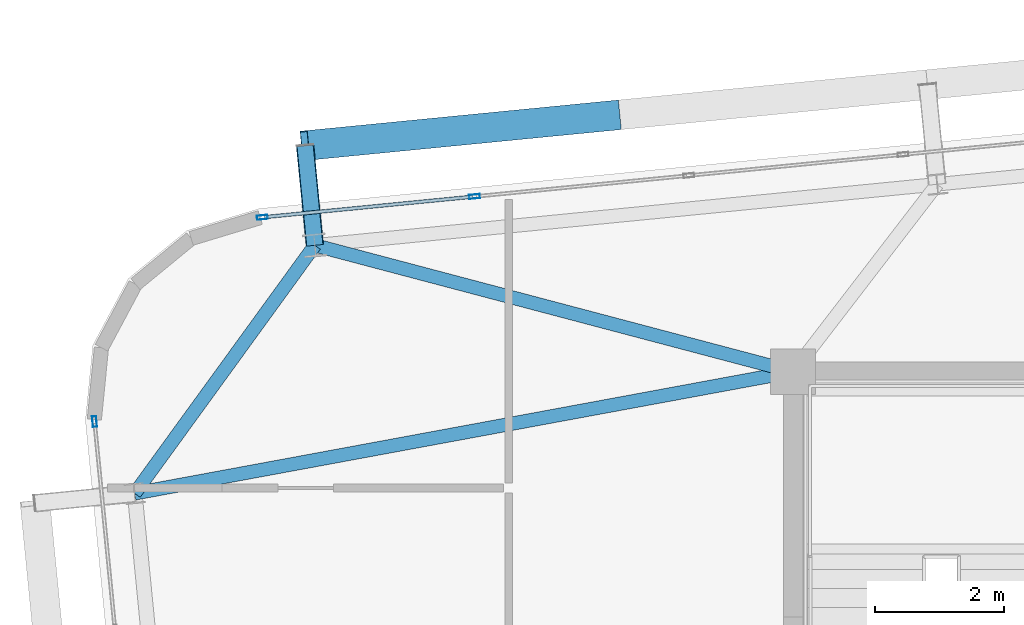
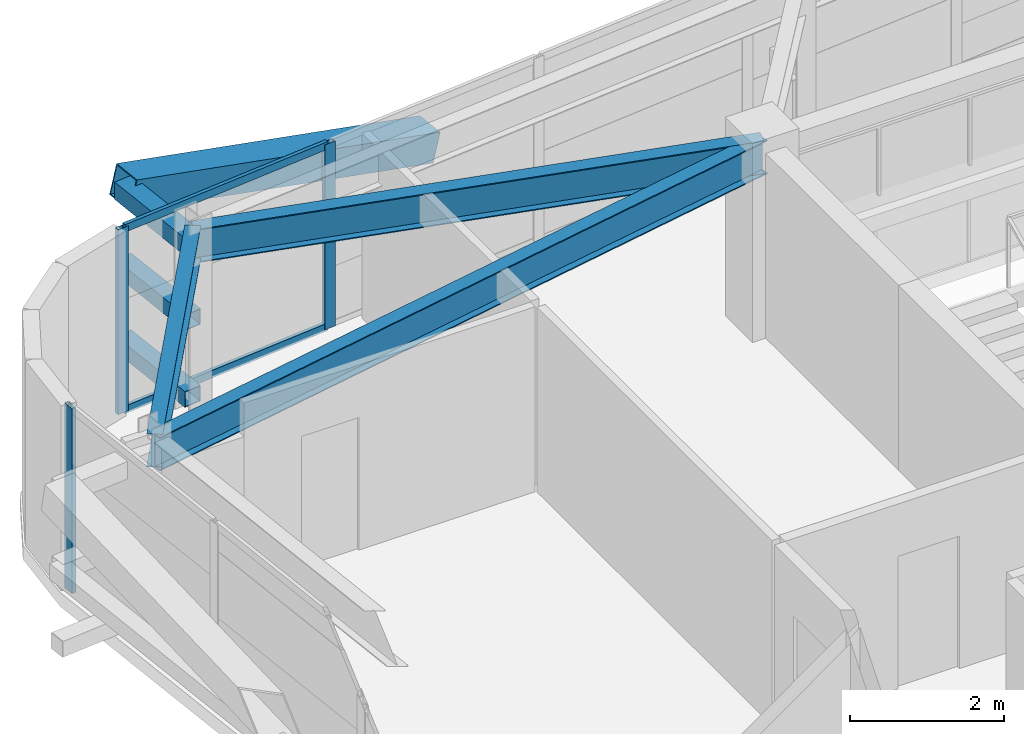
# One storey, part 27 of 52: 9 members, 3 beams, 2 elements without a shape of their own.
"""IFC4 building model written with IfcOpenShell, lengths in metres."""

from ifc_helpers import new_model, si_unit, direction, frame, origin, origin_2d, place, context, subcontext, project, spatial, hollow_rectangle, i_section, extrude, source, transform, mapped, material, layer, layer_set, material_profile, profile_set, type_object, element, aggregate, save


model = new_model("IFC4")

# Units and contexts
model_context = context("Model", 3, precision=1e-05, world=origin(), true_north=direction((0.0, 1.0)))
body_context = subcontext(model_context, "Body", "Model", "MODEL_VIEW")
ifc_project = project(units=[si_unit("LENGTHUNIT", "METRE"), si_unit("AREAUNIT", "SQUARE_METRE"), si_unit("VOLUMEUNIT", "CUBIC_METRE"), si_unit("PLANEANGLEUNIT", "RADIAN"), si_unit("MASSUNIT", "GRAM", prefix="KILO")], contexts=[model_context])

# Site, building, storey
site_placement = place(None, origin())
site = spatial("IfcSite", under=ifc_project, at=site_placement, CompositionType="ELEMENT")
building_placement = place(site_placement, origin())
building = spatial("IfcBuilding", under=site, at=building_placement, Name="Taldren Reach Tower", CompositionType="ELEMENT")
storey_placement = place(building_placement, frame((0.0, 0.0, 77.699951171875)))
storey = spatial("IfcBuildingStorey", under=building, at=storey_placement, Name="L23", CompositionType="ELEMENT", Elevation=77.699951171875)

# Beams
ifc_material_1 = material(Name="Steel Gr 350 (350PLUS)", Category="steel")
ifc_material_profile_1 = material_profile(ifc_material_1, i_section(OverallWidth=0.208984375, OverallDepth=0.528076171875, WebThickness=0.009521484375, FlangeThickness=0.01318359375, at=origin_2d()), Name="530UB82.0")
ifc_profile_set_1 = profile_set([ifc_material_profile_1], Name="Steel Gr 350 (350PLUS)")
beam_type_1 = type_object("IfcBeamType", Name="SP-UB530B", PredefinedType="SPANDREL", material=ifc_profile_set_1)
shared_shape_1 = source(origin(), body_context, "Body", "SweptSolid", [
    extrude(i_section(OverallWidth=0.208984375, OverallDepth=0.528076171875, WebThickness=0.009521484375, FlangeThickness=0.01318359375, at=origin_2d()), origin(), (0.0, 0.0, 1.0), 4.74609375),
])
beam_1_placement = place(storey_placement, frame((11.596923828125, 33.956787109375, 2.666015625), z_axis=(-0.587565912237, -0.809176308833, 0.0), x_axis=(0.809176308833, -0.587565912237, 0.0)))
element("IfcBeam", 1, at=beam_1_placement, inside=storey, type_object=beam_type_1, Name="Perimeter spandrel B2 N1-W3 L23", PredefinedType="SPANDREL", context=body_context, shape_type="MappedRepresentation", body=[
    mapped(shared_shape_1, transform((0.0, 0.0, 0.0), scale=1.0)),
])
ifc_material_profile_2 = material_profile(ifc_material_1, i_section(OverallWidth=0.208984375, OverallDepth=0.532958984375, WebThickness=0.01025390625, FlangeThickness=0.015625, at=origin_2d()), Name="530UB92.4")
ifc_profile_set_2 = profile_set([ifc_material_profile_2], Name="Steel Gr 350 (350PLUS)")
beam_type_2 = type_object("IfcBeamType", Name="BM-UB530A", PredefinedType="BEAM", material=ifc_profile_set_2)
shared_shape_2 = source(origin(), body_context, "Body", "SweptSolid", [
    extrude(i_section(OverallWidth=0.208984375, OverallDepth=0.532958984375, WebThickness=0.01025390625, FlangeThickness=0.015625, at=origin_2d()), origin(), (0.0, 0.0, 1.0), 7.6572265625),
])
beam_2_placement = place(storey_placement, frame((19.0, 32.0, 2.66357421875), z_axis=(-0.966797258245, 0.255544636904, 0.0), x_axis=(-0.255544636904, -0.966797258245, 0.0)))
element("IfcBeam", 2, at=beam_2_placement, inside=storey, type_object=beam_type_2, Name="Primary floor girder B2-N1 L23", PredefinedType="BEAM", context=body_context, shape_type="MappedRepresentation", body=[
    mapped(shared_shape_2, transform((0.0, 0.0, 0.0), scale=1.0)),
])
shared_shape_3 = source(origin(), body_context, "Body", "SweptSolid", [
    extrude(i_section(OverallWidth=0.208984375, OverallDepth=0.532958984375, WebThickness=0.01025390625, FlangeThickness=0.015625, at=origin_2d()), origin(), (0.0, 0.0, 1.0), 10.3642578125),
])
beam_3_placement = place(storey_placement, frame((19.0, 32.0, 2.66357421875), z_axis=(-0.983347548213, -0.181734970283, 0.0), x_axis=(0.181734970283, -0.983347548213, 0.0)))
element("IfcBeam", 3, at=beam_3_placement, inside=storey, type_object=beam_type_2, Name="Primary floor girder B2-W3 L23", PredefinedType="BEAM", context=body_context, shape_type="MappedRepresentation", body=[
    mapped(shared_shape_3, transform((0.0, 0.0, 0.0), scale=1.0)),
])

# Members
ifc_material_2 = material(Name="Steel Gr 450 (C450L0)", Category="steel")
ifc_material_profile_3 = material_profile(ifc_material_2, hollow_rectangle(XDim=0.27490234375, YDim=0.27490234375, WallThickness=0.00927734375, at=origin_2d()), Name="275x275x9.3SHS")
ifc_profile_set_3 = profile_set([ifc_material_profile_3], Name="Steel Gr 450 (C450L0)")
member_type_1 = type_object("IfcMemberType", Name="MB-TIE273", PredefinedType="STRUT", material=ifc_profile_set_3)
shared_shape_4 = source(origin(), body_context, "Body", "SweptSolid", [
    extrude(hollow_rectangle(XDim=0.27490234375, YDim=0.27490234375, WallThickness=0.00927734375, at=origin_2d()), origin(), (0.0, 0.0, 1.0), 1.550048828125),
])
member_1_placement = place(storey_placement, frame((11.596923828125, 33.956787109375, 2.650146484375), z_axis=(-0.097647892962, 0.9952210252, 0.0), x_axis=(-0.9952210252, -0.097647892962, 0.0)))
element("IfcMember", 4, at=member_1_placement, inside=storey, type_object=member_type_1, Name="Exoskeleton diaphragm tie strut B2-N1 L23", PredefinedType="STRUT", context=body_context, shape_type="MappedRepresentation", body=[
    mapped(shared_shape_4, transform((0.0, 0.0, 0.0), scale=1.0)),
])
ifc_material_profile_4 = material_profile(ifc_material_2, hollow_rectangle(XDim=0.4599609375, YDim=0.4599609375, WallThickness=0.01611328125, at=origin_2d()), Name="460x460x16.0SHS")
ifc_profile_set_4 = profile_set([ifc_material_profile_4], Name="Steel Gr 450 (C450L0)")
member_type_2 = type_object("IfcMemberType", Name="MB-EXO457", PredefinedType="BRACE", material=ifc_profile_set_4)
shared_shape_5 = source(origin(), body_context, "Body", "SweptSolid", [
    extrude(hollow_rectangle(XDim=0.4599609375, YDim=0.4599609375, WallThickness=0.01611328125, at=origin_2d()), origin(), (0.0, 0.0, 1.0), 4.990234375),
])
member_2_placement = place(storey_placement, frame((16.262451171875, 35.9716796875, 1.43505859375), z_axis=(-0.965275526283, -0.094619506732, 0.243496010862), x_axis=(0.097555749586, -0.995230061706, 0.0)))
element("IfcMember", 5, at=member_2_placement, inside=storey, type_object=member_type_2, Name="Exoskeleton Diagrid Brace B2-N1 L23", PredefinedType="BRACE", context=body_context, shape_type="MappedRepresentation", body=[
    mapped(shared_shape_5, transform((0.0, 0.0, 0.0), scale=1.0)),
])
ifc_material_3 = material(Name="Steel Gr 350 (C350L0)", Category="steel")
ifc_material_profile_5 = material_profile(ifc_material_3, hollow_rectangle(XDim=0.25, YDim=0.25, WallThickness=0.010009765625, at=origin_2d()), Name="250x250x10.0SHS")
ifc_profile_set_5 = profile_set([ifc_material_profile_5], Name="Steel Gr 350 (C350L0)")
member_type_3 = type_object("IfcMemberType", Name="MB-POST250", PredefinedType="POST", material=ifc_profile_set_5)
shared_shape_6 = source(origin(), body_context, "Body", "SweptSolid", [
    extrude(hollow_rectangle(XDim=0.25, YDim=0.25, WallThickness=0.010009765625, at=origin_2d()), origin(), (0.0, 0.0, 1.0), 1.550048828125),
])
for number, where, z_axis, x_axis, name in (
    (6, (11.596923828125, 33.956787109375, 0.219970703125), (-0.097647892962, 0.9952210252, 0.0), (-0.9952210252, -0.097647892962, 0.0), "Exoskeleton base diaphragm tie strut B2-N1 L23"),
    (7, (11.596923828125, 33.956787109375, 1.43505859375), (-0.097647892962, 0.9952210252, 0.0), (-0.9952210252, -0.097647892962, 0.0), "Exoskeleton mid-tier diaphragm tie B2-N1 L23"),
):
    element("IfcMember", number, at=place(storey_placement, frame(where, z_axis=z_axis, x_axis=x_axis)), inside=storey, type_object=member_type_3, Name=name, PredefinedType="POST", context=body_context, shape_type="MappedRepresentation", body=[
        mapped(shared_shape_6, transform((0.0, 0.0, 0.0), scale=1.0)),
    ])

# Curtain wall, members
ifc_material_4 = material(Name="Aluminium and Low-E Glass Unitised System", Category="aluminium")
ifc_layer = layer(ifc_material_4, 0.159912109375)
ifc_layer_set = layer_set([ifc_layer], Name="Aluminium and Low-E Glass Unitised System")
curtain_wall_type = type_object("IfcCurtainWallType", Name="CW-SYS-3", PredefinedType="NOTDEFINED", material=ifc_layer_set)
curtain_wall_1_placement = place(storey_placement, origin())
curtain_wall_1 = element("IfcCurtainWall", 8, at=curtain_wall_1_placement, inside=storey, type_object=curtain_wall_type, Name="Unitised curtain wall CW-L23-N", PredefinedType="NOTDEFINED")
ifc_material_5 = material(Name="Anodised Aluminium 6063-T6", Category="aluminium")
ifc_material_profile_6 = material_profile(ifc_material_5, hollow_rectangle(XDim=0.06494140625, YDim=0.1650390625, WallThickness=0.00390625, at=origin_2d()), Name="ALU-165x65x4RHS")
ifc_profile_set_6 = profile_set([ifc_material_profile_6], Name="Anodised Aluminium 6063-T6")
member_type_4 = type_object("IfcMemberType", Name="CW-MUL-165", PredefinedType="MULLION", material=ifc_profile_set_6)
shared_shape_7 = source(origin(), body_context, "Body", "SweptSolid", [
    extrude(hollow_rectangle(XDim=0.06494140625, YDim=0.1650390625, WallThickness=0.00390625, at=origin_2d()), origin(), (0.0, 0.0, 1.0), 2.929931640625),
])
member_3_placement = place(storey_placement, frame((14.068359375, 34.711669921875, 0.0), z_axis=(0.0, 0.0, 1.0), x_axis=(0.097582999046, -0.995227390247, 0.0)))
member_3 = element("IfcMember", 9, at=member_3_placement, type_object=member_type_4, Name="CW-3 mullion 15", PredefinedType="MULLION", context=body_context, shape_type="MappedRepresentation", body=[
    mapped(shared_shape_7, transform((0.0, 0.0, 0.0), scale=1.0)),
])
member_4_placement = place(storey_placement, frame((10.783203125, 34.3896484375, 0.0), z_axis=(0.0, 0.0, 1.0), x_axis=(0.097582999046, -0.995227390247, 0.0)))
member_4 = element("IfcMember", 10, at=member_4_placement, type_object=member_type_4, Name="CW-3 mullion 16", PredefinedType="MULLION", context=body_context, shape_type="MappedRepresentation", body=[
    mapped(shared_shape_7, transform((0.0, 0.0, 0.0), scale=1.0)),
])

# Curtain wall, member
curtain_wall_2_placement = place(storey_placement, origin())
curtain_wall_2 = element("IfcCurtainWall", 11, at=curtain_wall_2_placement, inside=storey, type_object=curtain_wall_type, Name="Unitised curtain wall CW-L23-W", PredefinedType="NOTDEFINED")
member_5_placement = place(storey_placement, frame((8.186767578125, 31.228515625, 0.0), z_axis=(0.0, 0.0, 1.0), x_axis=(0.99522741555, 0.09758274098, 0.0)))
member_5 = element("IfcMember", 12, at=member_5_placement, type_object=member_type_4, Name="CW-3 mullion 1", PredefinedType="MULLION", context=body_context, shape_type="MappedRepresentation", body=[
    mapped(shared_shape_7, transform((0.0, 0.0, 0.0), scale=1.0)),
])
aggregate(curtain_wall_2, [member_5])

# Member
ifc_material_profile_7 = material_profile(ifc_material_5, hollow_rectangle(XDim=0.054931640625, YDim=0.1201171875, WallThickness=0.0029296875, at=origin_2d()), Name="ALU-120x55x3RHS")
ifc_profile_set_7 = profile_set([ifc_material_profile_7], Name="Anodised Aluminium 6063-T6")
member_type_5 = type_object("IfcMemberType", Name="CW-TRN-135", PredefinedType="USERDEFINED", material=ifc_profile_set_7)
shared_shape_8 = source(origin(), body_context, "Body", "SweptSolid", [
    extrude(hollow_rectangle(XDim=0.054931640625, YDim=0.1201171875, WallThickness=0.0029296875, at=origin_2d()), origin(), (0.0, 0.0, 1.0), 3.235595703125),
])
member_6_placement = place(storey_placement, frame((14.035888671875, 34.70849609375, 0.027587890625), z_axis=(-0.995229530729, -0.09756116628, 0.0), x_axis=(0.09756116628, -0.995229530729, 0.0)))
member_6 = element("IfcMember", 13, at=member_6_placement, type_object=member_type_5, Name="CW-3 transom 15.1", ObjectType="TRANSOM", PredefinedType="USERDEFINED", context=body_context, shape_type="MappedRepresentation", body=[
    mapped(shared_shape_8, transform((0.0, 0.0, 0.0), scale=1.0)),
])

member_7_placement = place(storey_placement, frame((14.035888671875, 34.70849609375, 2.902587890625), z_axis=(-0.995229530729, -0.09756116628, 0.0), x_axis=(0.09756116628, -0.995229530729, 0.0)))
member_7 = element("IfcMember", 14, at=member_7_placement, type_object=member_type_5, Name="CW-3 transom 15.2", ObjectType="TRANSOM", PredefinedType="USERDEFINED", context=body_context, shape_type="MappedRepresentation", body=[
    mapped(shared_shape_8, transform((0.0, 0.0, 0.0), scale=1.0)),
])

aggregate(curtain_wall_1, [member_3, member_4, member_6, member_7])

save(model, "model.ifc")
